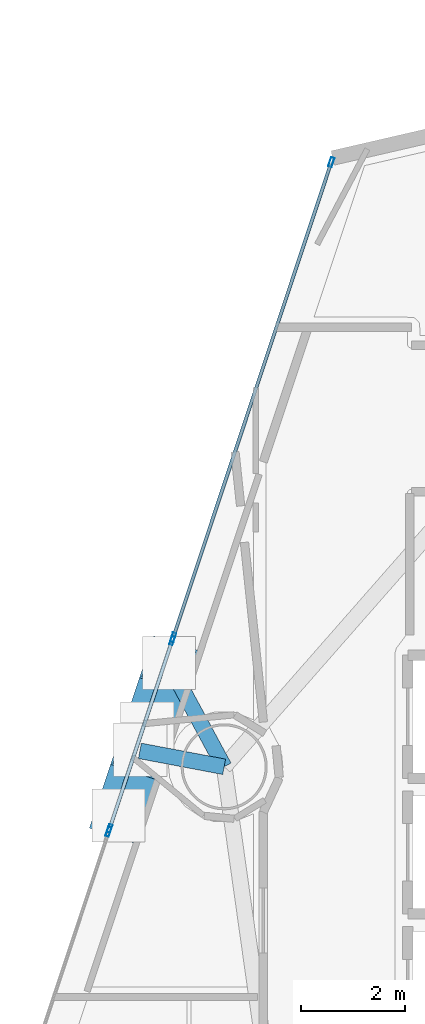
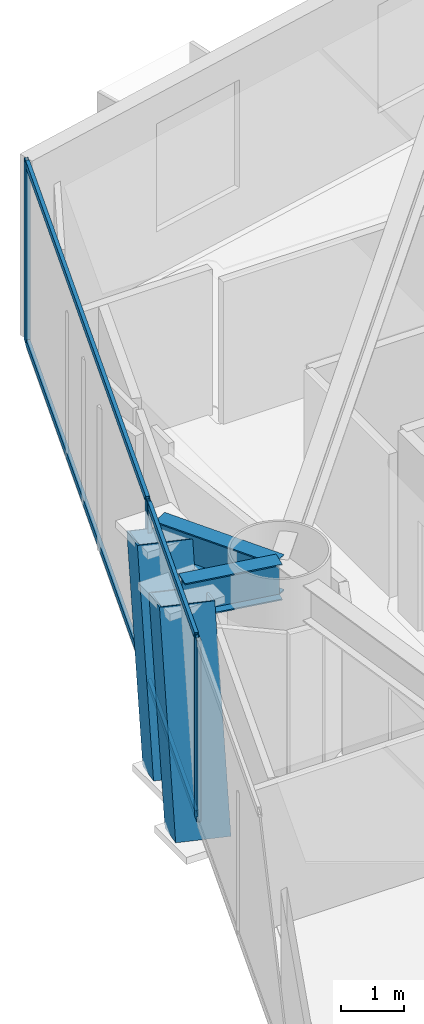
# One storey, part 8 of 23: 11 members, 2 beams, 3 elements without a shape of their own.
"""IFC4 building model written with IfcOpenShell, lengths in metres."""

from ifc_helpers import new_model, si_unit, direction, frame, origin, origin_2d, place, context, subcontext, project, spatial, hollow_rectangle, i_section, extrude, material, layer, layer_set, material_profile, profile_set, type_object, element, aggregate, save


model = new_model("IFC4")

# Units and contexts
model_context = context("Model", 3, precision=1e-05, world=origin(), true_north=direction((0.0, 1.0)))
body_context = subcontext(model_context, "Body", "Model", "MODEL_VIEW")
ifc_project = project(units=[si_unit("LENGTHUNIT", "METRE"), si_unit("AREAUNIT", "SQUARE_METRE"), si_unit("VOLUMEUNIT", "CUBIC_METRE"), si_unit("PLANEANGLEUNIT", "RADIAN"), si_unit("MASSUNIT", "GRAM", prefix="KILO")], contexts=[model_context])

# Site, building, storey
site_placement = place(None, origin())
site = spatial("IfcSite", under=ifc_project, at=site_placement, CompositionType="ELEMENT")
building_placement = place(site_placement, origin())
building = spatial("IfcBuilding", under=site, at=building_placement, Name="Qianvela Tower", CompositionType="ELEMENT")
storey_placement = place(building_placement, frame((0.0, 0.0, 67.300048828125)))
storey = spatial("IfcBuildingStorey", under=building, at=storey_placement, Name="L16", CompositionType="ELEMENT", Elevation=67.300048828125)

# Beams
ifc_material_1 = material(Name="Steel Q355B", Category="steel")
ifc_material_profile_1 = material_profile(ifc_material_1, i_section(OverallWidth=0.300048828125, OverallDepth=0.699951171875, WebThickness=0.012939453125, FlangeThickness=0.02392578125, at=origin_2d()), Name="HN700x300x13x24")
ifc_profile_set_1 = profile_set([ifc_material_profile_1], Name="Steel Q355B")
beam_type = type_object("IfcBeamType", Name="BM-HN700-SPAND", PredefinedType="SPANDREL", material=ifc_profile_set_1)
beam_1_placement = place(storey_placement, frame((22.8291015625, 30.340087890625, 3.16796875), z_axis=(-0.474978215771, 0.879997553714, 0.0), x_axis=(-0.879997553714, -0.474978215771, 0.0)))
element("IfcBeam", 1, at=beam_1_placement, inside=storey, type_object=beam_type, Name="L16 Mega-Brace Column Tie Bracket F2-1", PredefinedType="SPANDREL", context=body_context, shape_type="SweptSolid", body=[
    extrude(i_section(OverallWidth=0.300048828125, OverallDepth=0.699951171875, WebThickness=0.012939453125, FlangeThickness=0.02392578125, at=origin_2d()), origin(), (0.0, 0.0, 1.0), 2.237060546875),
])
beam_2_placement = place(storey_placement, frame((22.8291015625, 30.340087890625, 3.16796875), z_axis=(-0.982598818929, 0.185740574566, 0.0), x_axis=(-0.185740574566, -0.982598818929, 0.0)))
element("IfcBeam", 2, at=beam_2_placement, inside=storey, type_object=beam_type, Name="L16 Mega-Brace Column Tie Bracket F2-2", PredefinedType="SPANDREL", context=body_context, shape_type="SweptSolid", body=[
    extrude(i_section(OverallWidth=0.300048828125, OverallDepth=0.699951171875, WebThickness=0.012939453125, FlangeThickness=0.02392578125, at=origin_2d()), origin(), (0.0, 0.0, 1.0), 1.644287109375),
])

# Curtain wall, members
ifc_material_2 = material(Name="Anodised Architectural Aluminium and Insulated Spandrel Panel", Category="aluminium")
ifc_layer_1 = layer(ifc_material_2, 0.179931640625)
ifc_layer_set_1 = layer_set([ifc_layer_1], Name="Anodised Architectural Aluminium and Insulated Spandrel Panel")
curtain_wall_type_1 = type_object("IfcCurtainWallType", Name="CW-BRACEBAY", PredefinedType="USERDEFINED", material=ifc_layer_set_1)
curtain_wall_1_placement = place(storey_placement, origin())
curtain_wall_1 = element("IfcCurtainWall", 3, at=curtain_wall_1_placement, inside=storey, type_object=curtain_wall_type_1, Name="L16 CW-BRACEBAY Curtain Wall 04B", ObjectType="CURTAIN_WALL_SYSTEM", PredefinedType="USERDEFINED")
ifc_material_3 = material(Name="Anodised Architectural Aluminium 6063-T6", Category="aluminium")
ifc_material_profile_2 = material_profile(ifc_material_3, hollow_rectangle(XDim=0.06494140625, YDim=0.159912109375, WallThickness=0.0048828125, at=origin_2d()), Name="ALU-MULL-65x160")
ifc_profile_set_2 = profile_set([ifc_material_profile_2], Name="Anodised Architectural Aluminium 6063-T6")
member_type_1 = type_object("IfcMemberType", Name="CW-BRACEBAY-MULL", PredefinedType="MULLION", material=ifc_profile_set_2)
member_1_placement = place(storey_placement, frame((21.831787109375, 32.75830078125, 0.0), z_axis=(0.0, 0.0, 1.0), x_axis=(0.948867076741, -0.315675894987, 0.0)))
member_1 = element("IfcMember", 4, at=member_1_placement, type_object=member_type_1, Name="CW-9 mullion 1", PredefinedType="MULLION", context=body_context, shape_type="SweptSolid", body=[
    extrude(hollow_rectangle(XDim=0.06494140625, YDim=0.159912109375, WallThickness=0.0048828125, at=origin_2d()), origin(), (0.0, 0.0, 1.0), 3.52001953125),
])
member_2_placement = place(storey_placement, frame((20.6337890625, 29.1572265625, 0.0), z_axis=(0.0, 0.0, 1.0), x_axis=(0.948867076741, -0.315675894987, 0.0)))
member_2 = element("IfcMember", 5, at=member_2_placement, type_object=member_type_1, Name="CW-9 mullion 2", PredefinedType="MULLION", context=body_context, shape_type="SweptSolid", body=[
    extrude(hollow_rectangle(XDim=0.06494140625, YDim=0.159912109375, WallThickness=0.0048828125, at=origin_2d()), origin(), (0.0, 0.0, 1.0), 3.52001953125),
])
ifc_material_4 = material(Name="Anodised Architectural Aluminium 6063-T6", Category="aluminium")
ifc_material_profile_3 = material_profile(ifc_material_4, hollow_rectangle(XDim=0.06494140625, YDim=0.1298828125, WallThickness=0.00439453125, at=origin_2d()), Name="ALU-TRAN-65x130")
ifc_profile_set_3 = profile_set([ifc_material_profile_3], Name="Anodised Architectural Aluminium 6063-T6")
member_type_2 = type_object("IfcMemberType", Name="CW-BRACEBAY-TRAN", PredefinedType="USERDEFINED", material=ifc_profile_set_3)
member_3_placement = place(storey_placement, frame((21.821533203125, 32.7275390625, 0.032470703125), z_axis=(-0.315677911034, -0.948866406026, 0.0), x_axis=(0.948866406026, -0.315677911034, 0.0)))
member_3 = element("IfcMember", 6, at=member_3_placement, type_object=member_type_2, Name="CW-9 transom 1.1", ObjectType="TRANSOM", PredefinedType="USERDEFINED", context=body_context, shape_type="SweptSolid", body=[
    extrude(hollow_rectangle(XDim=0.06494140625, YDim=0.1298828125, WallThickness=0.00439453125, at=origin_2d()), origin(), (0.0, 0.0, 1.0), 3.72998046875),
])
member_4_placement = place(storey_placement, frame((21.821533203125, 32.7275390625, 3.487548828125), z_axis=(-0.315677911034, -0.948866406026, 0.0), x_axis=(0.948866406026, -0.315677911034, 0.0)))
member_4 = element("IfcMember", 7, at=member_4_placement, type_object=member_type_2, Name="CW-9 transom 1.2", ObjectType="TRANSOM", PredefinedType="USERDEFINED", context=body_context, shape_type="SweptSolid", body=[
    extrude(hollow_rectangle(XDim=0.06494140625, YDim=0.1298828125, WallThickness=0.00439453125, at=origin_2d()), origin(), (0.0, 0.0, 1.0), 3.72998046875),
])
aggregate(curtain_wall_1, [member_1, member_2, member_3, member_4])

ifc_material_5 = material(Name="Anodised Architectural Aluminium and Low-E Glass", Category="aluminium")
ifc_layer_2 = layer(ifc_material_5, 0.179931640625)
ifc_layer_set_2 = layer_set([ifc_layer_2], Name="Anodised Architectural Aluminium and Low-E Glass")
curtain_wall_type_2 = type_object("IfcCurtainWallType", Name="CW-COLIV-Z12", PredefinedType="USERDEFINED", material=ifc_layer_set_2)
curtain_wall_2_placement = place(storey_placement, origin())
curtain_wall_2 = element("IfcCurtainWall", 8, at=curtain_wall_2_placement, inside=storey, type_object=curtain_wall_type_2, Name="L16 CW-COLIV-Z12 Curtain Wall 04A", ObjectType="CURTAIN_WALL_SYSTEM", PredefinedType="USERDEFINED")
ifc_material_6 = material(Name="Anodised Architectural Aluminium 6063-T6", Category="aluminium")
ifc_material_profile_4 = material_profile(ifc_material_6, hollow_rectangle(XDim=0.070068359375, YDim=0.179931640625, WallThickness=0.0048828125, at=origin_2d()), Name="ALU-MULL-70x180")
ifc_profile_set_4 = profile_set([ifc_material_profile_4], Name="Anodised Architectural Aluminium 6063-T6")
member_type_3 = type_object("IfcMemberType", Name="CW-COLIV-Z12-MULL", PredefinedType="MULLION", material=ifc_profile_set_4)
member_5_placement = place(storey_placement, frame((24.88330078125, 41.931640625, 0.0), z_axis=(0.0, 0.0, 1.0), x_axis=(0.948877533334, -0.315644462544, 0.0)))
member_5 = element("IfcMember", 9, at=member_5_placement, type_object=member_type_3, Name="CW-3 mullion 1", PredefinedType="MULLION", context=body_context, shape_type="SweptSolid", body=[
    extrude(hollow_rectangle(XDim=0.070068359375, YDim=0.179931640625, WallThickness=0.0048828125, at=origin_2d()), origin(), (0.0, 0.0, 1.0), 3.52001953125),
])
member_6_placement = place(storey_placement, frame((21.85302734375, 32.822265625, 0.0), z_axis=(0.0, 0.0, 1.0), x_axis=(0.948877533334, -0.315644462544, 0.0)))
member_6 = element("IfcMember", 10, at=member_6_placement, type_object=member_type_3, Name="CW-3 mullion 2", PredefinedType="MULLION", context=body_context, shape_type="SweptSolid", body=[
    extrude(hollow_rectangle(XDim=0.070068359375, YDim=0.179931640625, WallThickness=0.0048828125, at=origin_2d()), origin(), (0.0, 0.0, 1.0), 3.52001953125),
])

# Curtain wall, member
curtain_wall_3_placement = place(storey_placement, origin())
curtain_wall_3 = element("IfcCurtainWall", 11, at=curtain_wall_3_placement, inside=storey, type_object=curtain_wall_type_2, Name="L16 CW-COLIV-Z12 Curtain Wall 04C", ObjectType="CURTAIN_WALL_SYSTEM", PredefinedType="USERDEFINED")
member_7_placement = place(storey_placement, frame((20.612548828125, 29.09326171875, 0.0), z_axis=(0.0, 0.0, 1.0), x_axis=(0.948877233383, -0.315645364243, 0.0)))
member_7 = element("IfcMember", 12, at=member_7_placement, type_object=member_type_3, Name="CW-3 mullion 1", PredefinedType="MULLION", context=body_context, shape_type="SweptSolid", body=[
    extrude(hollow_rectangle(XDim=0.070068359375, YDim=0.179931640625, WallThickness=0.0048828125, at=origin_2d()), origin(), (0.0, 0.0, 1.0), 3.52001953125),
])
aggregate(curtain_wall_3, [member_7])

# Member
ifc_material_7 = material(Name="Anodised Architectural Aluminium 6063-T6", Category="aluminium")
ifc_material_profile_5 = material_profile(ifc_material_7, hollow_rectangle(XDim=0.06494140625, YDim=0.1298828125, WallThickness=0.00439453125, at=origin_2d()), Name="ALU-TRAN-65x130")
ifc_profile_set_5 = profile_set([ifc_material_profile_5], Name="Anodised Architectural Aluminium 6063-T6")
member_type_4 = type_object("IfcMemberType", Name="CW-COLIV-Z12-TRAN", PredefinedType="USERDEFINED", material=ifc_profile_set_5)
member_8_placement = place(storey_placement, frame((24.872314453125, 41.8984375, 0.032470703125), z_axis=(-0.315635935149, -0.948880369932, 0.0), x_axis=(0.948880369932, -0.315635935149, 0.0)))
member_8 = element("IfcMember", 13, at=member_8_placement, type_object=member_type_4, Name="CW-3 transom 1.1", ObjectType="TRANSOM", PredefinedType="USERDEFINED", context=body_context, shape_type="SweptSolid", body=[
    extrude(hollow_rectangle(XDim=0.06494140625, YDim=0.1298828125, WallThickness=0.00439453125, at=origin_2d()), origin(), (0.0, 0.0, 1.0), 9.530029296875),
])

member_9_placement = place(storey_placement, frame((24.872314453125, 41.8984375, 3.487548828125), z_axis=(-0.315635935149, -0.948880369932, 0.0), x_axis=(0.948880369932, -0.315635935149, 0.0)))
member_9 = element("IfcMember", 14, at=member_9_placement, type_object=member_type_4, Name="CW-3 transom 1.2", ObjectType="TRANSOM", PredefinedType="USERDEFINED", context=body_context, shape_type="SweptSolid", body=[
    extrude(hollow_rectangle(XDim=0.06494140625, YDim=0.1298828125, WallThickness=0.00439453125, at=origin_2d()), origin(), (0.0, 0.0, 1.0), 9.530029296875),
])

aggregate(curtain_wall_2, [member_5, member_6, member_8, member_9])

# Members
ifc_material_8 = material(Name="Steel Q420GJC", Category="steel")
ifc_material_profile_6 = material_profile(ifc_material_8, hollow_rectangle(XDim=0.89990234375, YDim=0.89990234375, WallThickness=0.035888671875, at=origin_2d()), Name="MBOX-900x900x36")
ifc_profile_set_6 = profile_set([ifc_material_profile_6], Name="Steel Q420GJC")
member_type_5 = type_object("IfcMemberType", Name="MBR-MBRACE-900", PredefinedType="BRACE", material=ifc_profile_set_6)
for number, where, z_axis, x_axis, name in (
    (15, (21.361083984375, 31.090087890625, -0.531982421875), (0.103541256255, 0.311122462355, 0.944712666196), (-0.948835275734, 0.31577146724, 0.0), "L16 Tier 2 Exterior Mega-Brace F2A"),
    (16, (20.80810546875, 29.42724609375, -0.531982421875), (0.103481594061, 0.31106816528, 0.944737083129), (-0.9488732815, 0.315657243946, 0.0), "L16 Tier 2 Exterior Mega-Brace F2B"),
):
    element("IfcMember", number, at=place(storey_placement, frame(where, z_axis=z_axis, x_axis=x_axis)), inside=storey, type_object=member_type_5, Name=name, PredefinedType="BRACE", context=body_context, shape_type="SweptSolid", body=[
        extrude(hollow_rectangle(XDim=0.89990234375, YDim=0.89990234375, WallThickness=0.035888671875, at=origin_2d()), origin(), (0.0, 0.0, 1.0), 3.91650390625),
    ])

save(model, "model.ifc")
